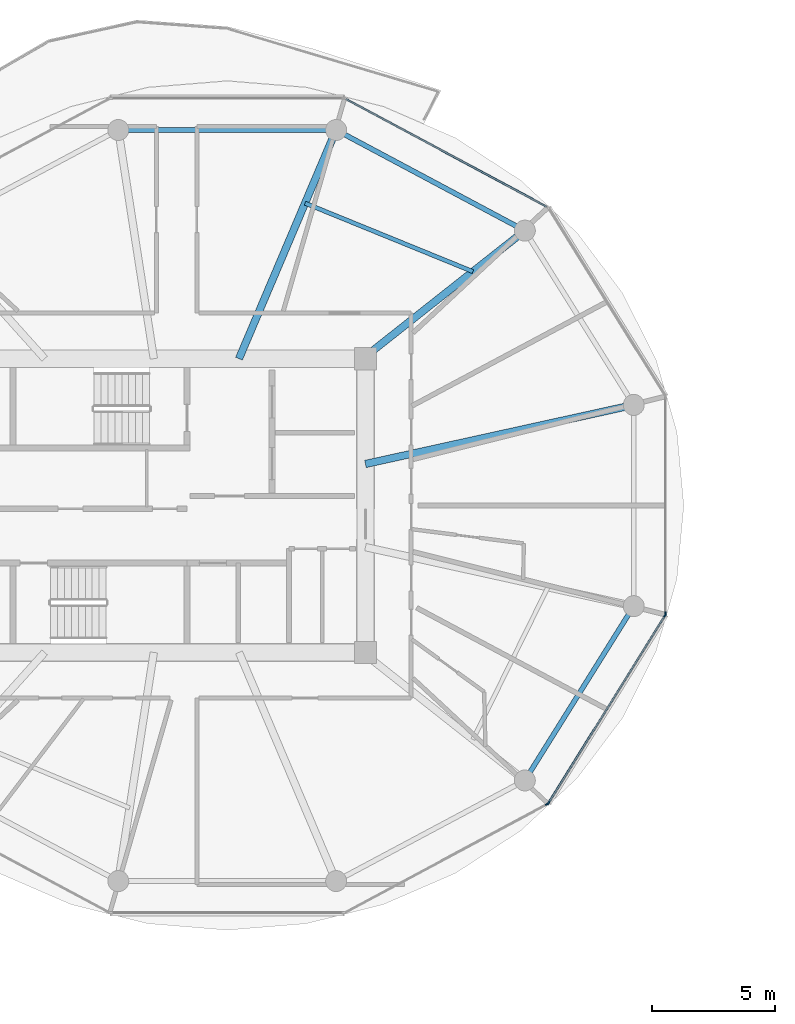
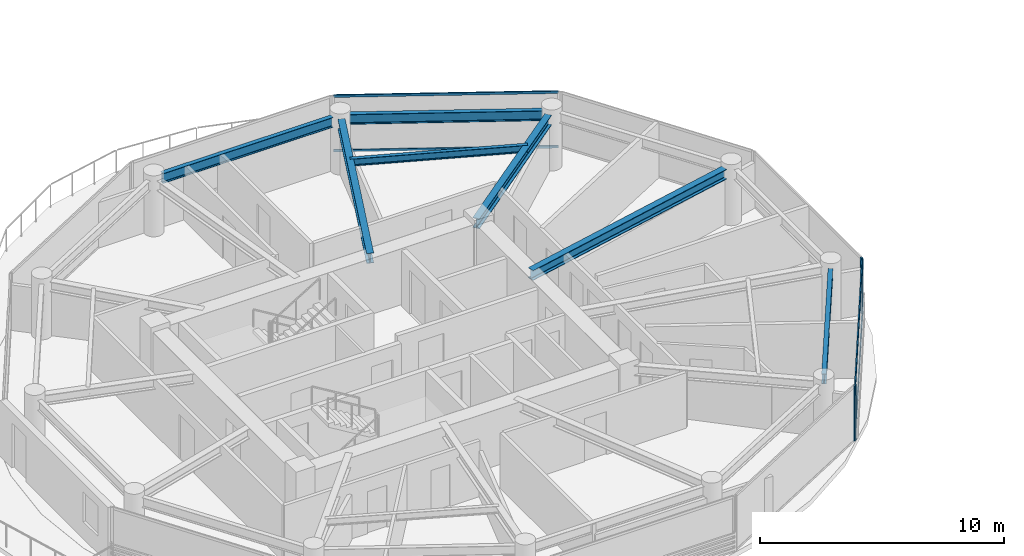
# One storey, part 5 of 22: 8 members, 7 beams, 4 elements without a shape of their own.
"""IFC4 building model written with IfcOpenShell, lengths in metres."""

from ifc_helpers import new_model, si_unit, direction, frame, origin, origin_2d, place, context, subcontext, project, spatial, rectangle, i_section, extrude, source, transform, mapped, material, layer, layer_set, material_profile, profile_set, type_object, type_shapes, element, aggregate, save


model = new_model("IFC4")

# Units and contexts
model_context = context("Model", 3, precision=1e-05, world=origin(), true_north=direction((0.0, 1.0)))
body_context = subcontext(model_context, "Body", "Model", "MODEL_VIEW")
ifc_project = project(units=[si_unit("LENGTHUNIT", "METRE"), si_unit("AREAUNIT", "SQUARE_METRE"), si_unit("VOLUMEUNIT", "CUBIC_METRE"), si_unit("PLANEANGLEUNIT", "RADIAN"), si_unit("MASSUNIT", "GRAM", prefix="KILO")], contexts=[model_context])

# Site, building, storey
site_placement = place(None, origin())
site = spatial("IfcSite", under=ifc_project, at=site_placement, CompositionType="ELEMENT")
building_placement = place(site_placement, origin())
building = spatial("IfcBuilding", under=site, at=building_placement, Name="Norrkilde Senior Care Towers", CompositionType="ELEMENT")
storey_placement = place(building_placement, frame((0.0, 0.0, 87.10009765625)))
storey = spatial("IfcBuildingStorey", under=building, at=storey_placement, Name="L26", CompositionType="ELEMENT", Elevation=87.10009765625)

# Beams
ifc_material_1 = material(Name="Steel S355", Category="steel")
ifc_material_profile_1 = material_profile(ifc_material_1, i_section(OverallWidth=0.199951171875, OverallDepth=0.5, WebThickness=0.01025390625, FlangeThickness=0.01611328125, FilletRadius=0.02099609375, at=origin_2d()), Name="IPE 500")
ifc_profile_set_1 = profile_set([ifc_material_profile_1], Name="Steel S355")
beam_type_1 = type_object("IfcBeamType", Name="Perimeter Ring Spandrel Z2 IPE500", PredefinedType="SPANDREL", material=ifc_profile_set_1)
shared_shape_1 = source(origin(), body_context, "Body", "SweptSolid", [
    extrude(i_section(OverallWidth=0.199951171875, OverallDepth=0.5, WebThickness=0.01025390625, FlangeThickness=0.01611328125, FilletRadius=0.02099609375, at=origin_2d()), origin(), (0.0, 0.0, 1.0), 7.55615234375),
])
beam_1_placement = place(storey_placement, frame((-13.689697265625, -10.810546875, 2.539794921875), z_axis=(0.529981514254, 0.848009194849, 0.0), x_axis=(-0.848009194849, 0.529981514254, 0.0)))
element("IfcBeam", 1, at=beam_1_placement, inside=storey, type_object=beam_type_1, Name="L26 Drum W Perimeter Spandrel 11", PredefinedType="SPANDREL", context=body_context, shape_type="MappedRepresentation", body=[
    mapped(shared_shape_1, transform((0.0, 0.0, 0.0), x_axis=(1.0, 0.0, 0.0), y_axis=(0.0, 1.0, 0.0), z_axis=(0.0, 0.0, 1.0), scale=1.0)),
])
ifc_material_profile_2 = material_profile(ifc_material_1, i_section(OverallWidth=0.300048828125, OverallDepth=0.5, WebThickness=0.014404296875, FlangeThickness=0.028076171875, FilletRadius=0.027099609375, at=origin_2d()), Name="HEB 500")
ifc_profile_set_2 = profile_set([ifc_material_profile_2], Name="Steel S355")
beam_type_2 = type_object("IfcBeamType", Name="Radial Floor Beam Z2 HEB500", PredefinedType="BEAM", material=ifc_profile_set_2)
shared_shape_2 = source(origin(), body_context, "Body", "SweptSolid", [
    extrude(i_section(OverallWidth=0.300048828125, OverallDepth=0.5, WebThickness=0.014404296875, FlangeThickness=0.028076171875, FilletRadius=0.027099609375, at=origin_2d()), origin(), (0.0, 0.0, 1.0), 10.744384765625),
])
beam_2_placement = place(storey_placement, frame((-20.35009765625, 1.683837890625, 2.539794921875), z_axis=(0.976618711422, 0.214978818724, 0.0), x_axis=(-0.214978818724, 0.976618711422, 0.0)))
element("IfcBeam", 2, at=beam_2_placement, inside=storey, type_object=beam_type_2, Name="L26 Drum W Radial Floor Beam 01", PredefinedType="BEAM", context=body_context, shape_type="MappedRepresentation", body=[
    mapped(shared_shape_2, transform((0.0, 0.0, 0.0), x_axis=(1.0, 0.0, 0.0), y_axis=(0.0, 1.0, 0.0), z_axis=(0.0, 0.0, 1.0), scale=1.0)),
])
shared_shape_3 = source(origin(), body_context, "Body", "SweptSolid", [
    extrude(i_section(OverallWidth=0.199951171875, OverallDepth=0.5, WebThickness=0.01025390625, FlangeThickness=0.01611328125, FilletRadius=0.02099609375, at=origin_2d()), origin(), (0.0, 0.0, 1.0), 7.892333984375),
])
beam_3_placement = place(storey_placement, frame((-14.233642578125, 11.318115234375, 2.539794921875), z_axis=(-0.882350372282, 0.47059305194, 0.0), x_axis=(-0.47059305194, -0.882350372282, 0.0)))
element("IfcBeam", 3, at=beam_3_placement, inside=storey, type_object=beam_type_1, Name="L26 Drum W Perimeter Spandrel 02", PredefinedType="SPANDREL", context=body_context, shape_type="MappedRepresentation", body=[
    mapped(shared_shape_3, transform((0.0, 0.0, 0.0), x_axis=(1.0, 0.0, 0.0), y_axis=(0.0, 1.0, 0.0), z_axis=(0.0, 0.0, 1.0), scale=1.0)),
])
shared_shape_4 = source(origin(), body_context, "Body", "SweptSolid", [
    extrude(i_section(OverallWidth=0.300048828125, OverallDepth=0.5, WebThickness=0.014404296875, FlangeThickness=0.028076171875, FilletRadius=0.027099609375, at=origin_2d()), origin(), (0.0, 0.0, 1.0), 7.985595703125),
])
beam_4_placement = place(storey_placement, frame((-20.463623046875, 5.949951171875, 2.539794921875), z_axis=(0.784858505144, 0.619675017169, 0.0), x_axis=(-0.619675017169, 0.784858505144, 0.0)))
element("IfcBeam", 4, at=beam_4_placement, inside=storey, type_object=beam_type_2, Name="L26 Drum W Radial Floor Beam 02", PredefinedType="BEAM", context=body_context, shape_type="MappedRepresentation", body=[
    mapped(shared_shape_4, transform((0.0, 0.0, 0.0), x_axis=(1.0, 0.0, 0.0), y_axis=(0.0, 1.0, 0.0), z_axis=(0.0, 0.0, 1.0), scale=1.0)),
])
shared_shape_5 = source(origin(), body_context, "Body", "SweptSolid", [
    extrude(i_section(OverallWidth=0.199951171875, OverallDepth=0.5, WebThickness=0.01025390625, FlangeThickness=0.01611328125, FilletRadius=0.02099609375, at=origin_2d()), origin(), (0.0, 0.0, 1.0), 8.0556640625),
])
type_shapes(beam_type_1, [shared_shape_1, shared_shape_3, shared_shape_5])
beam_5_placement = place(storey_placement, frame((-21.922119140625, 15.21337890625, 2.539794921875), z_axis=(-1.0, 0.0, 0.0), x_axis=(0.0, -1.0, 0.0)))
element("IfcBeam", 5, at=beam_5_placement, inside=storey, type_object=beam_type_1, Name="L26 Drum W Perimeter Spandrel 03", PredefinedType="SPANDREL", context=body_context, shape_type="MappedRepresentation", body=[
    mapped(shared_shape_5, transform((0.0, 0.0, 0.0), x_axis=(1.0, 0.0, 0.0), y_axis=(0.0, 1.0, 0.0), z_axis=(0.0, 0.0, 1.0), scale=1.0)),
])
shared_shape_6 = source(origin(), body_context, "Body", "SweptSolid", [
    extrude(i_section(OverallWidth=0.300048828125, OverallDepth=0.5, WebThickness=0.014404296875, FlangeThickness=0.028076171875, FilletRadius=0.027099609375, at=origin_2d()), origin(), (0.0, 0.0, 1.0), 9.679443359375),
])
type_shapes(beam_type_2, [shared_shape_2, shared_shape_4, shared_shape_6])
beam_6_placement = place(storey_placement, frame((-25.472412109375, 5.949951171875, 2.539794921875), z_axis=(0.390998033479, 0.920391513333, 0.0), x_axis=(-0.920391513333, 0.390998033479, 0.0)))
element("IfcBeam", 6, at=beam_6_placement, inside=storey, type_object=beam_type_2, Name="L26 Drum W Radial Floor Beam 03", PredefinedType="BEAM", context=body_context, shape_type="MappedRepresentation", body=[
    mapped(shared_shape_6, transform((0.0, 0.0, 0.0), x_axis=(1.0, 0.0, 0.0), y_axis=(0.0, 1.0, 0.0), z_axis=(0.0, 0.0, 1.0), scale=1.0)),
])
ifc_material_profile_3 = material_profile(ifc_material_1, i_section(OverallWidth=0.169921875, OverallDepth=0.360107421875, WebThickness=0.008056640625, FlangeThickness=0.0126953125, FilletRadius=0.01806640625, at=origin_2d()), Name="IPE 360")
ifc_profile_set_3 = profile_set([ifc_material_profile_3], Name="Steel S355")
beam_type_3 = type_object("IfcBeamType", Name="Secondary Floor Joist IPE360", PredefinedType="JOIST", material=ifc_profile_set_3)
shared_shape_7 = source(origin(), body_context, "Body", "SweptSolid", [
    extrude(i_section(OverallWidth=0.169921875, OverallDepth=0.360107421875, WebThickness=0.008056640625, FlangeThickness=0.0126953125, FilletRadius=0.01806640625, at=origin_2d()), origin(), (0.0, 0.0, 1.0), 7.343505859375),
])
type_shapes(beam_type_3, [shared_shape_7])
beam_7_placement = place(storey_placement, frame((-15.99609375, 9.47705078125, 2.60986328125), z_axis=(-0.926021784767, 0.377470070519, 0.0), x_axis=(-0.377470070519, -0.926021784767, 0.0)))
element("IfcBeam", 7, at=beam_7_placement, inside=storey, type_object=beam_type_3, Name="L26 Drum W Secondary Floor Joist 1", PredefinedType="JOIST", context=body_context, shape_type="MappedRepresentation", body=[
    mapped(shared_shape_7, transform((0.0, 0.0, 0.0), x_axis=(1.0, 0.0, 0.0), y_axis=(0.0, 1.0, 0.0), z_axis=(0.0, 0.0, 1.0), scale=1.0)),
])

# Curtain wall, member
ifc_material_2 = material(Name="Triple Low-E Insulated Glazing", Category="glass")
ifc_layer = layer(ifc_material_2, 0.195068359375)
ifc_layer_set = layer_set([ifc_layer], Name="Triple Low-E Insulated Glazing")
curtain_wall_type = type_object("IfcCurtainWallType", Name="CW3 Zone 2 Assisted Living Curtain Wall", PredefinedType="NOTDEFINED", material=ifc_layer_set)
curtain_wall_1_placement = place(storey_placement, origin())
curtain_wall_1 = element("IfcCurtainWall", 8, at=curtain_wall_1_placement, inside=storey, type_object=curtain_wall_type, Name="L26 Drum W Curtain Wall 09", PredefinedType="NOTDEFINED")
ifc_material_3 = material(Name="Anodised Aluminium", Category="aluminium")
ifc_material_profile_4 = material_profile(ifc_material_3, rectangle(XDim=0.06494140625, YDim=0.159912109375, at=origin_2d()), Name="ALU MULL 65x160")
ifc_profile_set_4 = profile_set([ifc_material_profile_4], Name="Anodised Aluminium")
member_type_1 = type_object("IfcMemberType", Name="Curtain Wall Mullion Z1-Z2 65x160", PredefinedType="MULLION", material=ifc_profile_set_4)
shared_shape_8 = source(origin(), body_context, "Body", "SweptSolid", [
    extrude(rectangle(XDim=0.06494140625, YDim=0.159912109375, at=origin_2d()), origin(), (0.0, 0.0, 1.0), 2.789794921875),
])
type_shapes(member_type_1, [shared_shape_8])
member_1_placement = place(storey_placement, frame((-12.98193359375, -12.0927734375, 0.0), z_axis=(0.0, 0.0, 1.0), x_axis=(0.472769402511, -0.881186184668, 0.0)))
member_1 = element("IfcMember", 9, at=member_1_placement, type_object=member_type_1, Name="CW-3 mullion 1", PredefinedType="MULLION", context=body_context, shape_type="MappedRepresentation", body=[
    mapped(shared_shape_8, transform((0.0, 0.0, 0.0), x_axis=(1.0, 0.0, 0.0), y_axis=(0.0, 1.0, 0.0), z_axis=(0.0, 0.0, 1.0), scale=1.0)),
])
aggregate(curtain_wall_1, [member_1])

# Curtain wall, members
curtain_wall_2_placement = place(storey_placement, origin())
curtain_wall_2 = element("IfcCurtainWall", 10, at=curtain_wall_2_placement, inside=storey, type_object=curtain_wall_type, Name="L26 Drum W Curtain Wall 10", PredefinedType="NOTDEFINED")
member_2_placement = place(storey_placement, frame((-8.21337890625, -4.4482421875, 0.0), z_axis=(0.0, 0.0, 1.0), x_axis=(0.849410171862, -0.527733228002, 0.0)))
member_2 = element("IfcMember", 11, at=member_2_placement, type_object=member_type_1, Name="CW-3 mullion 1", PredefinedType="MULLION", context=body_context, shape_type="MappedRepresentation", body=[
    mapped(shared_shape_8, transform((0.0, 0.0, 0.0), x_axis=(1.0, 0.0, 0.0), y_axis=(0.0, 1.0, 0.0), z_axis=(0.0, 0.0, 1.0), scale=1.0)),
])
member_3_placement = place(storey_placement, frame((-12.936279296875, -12.0498046875, 0.0), z_axis=(0.0, 0.0, 1.0), x_axis=(0.849410171862, -0.527733228002, 0.0)))
member_3 = element("IfcMember", 12, at=member_3_placement, type_object=member_type_1, Name="CW-3 mullion 2", PredefinedType="MULLION", context=body_context, shape_type="MappedRepresentation", body=[
    mapped(shared_shape_8, transform((0.0, 0.0, 0.0), x_axis=(1.0, 0.0, 0.0), y_axis=(0.0, 1.0, 0.0), z_axis=(0.0, 0.0, 1.0), scale=1.0)),
])

# Curtain wall, member
curtain_wall_3_placement = place(storey_placement, origin())
curtain_wall_3 = element("IfcCurtainWall", 13, at=curtain_wall_3_placement, inside=storey, type_object=curtain_wall_type, Name="L26 Drum W Curtain Wall 11", PredefinedType="NOTDEFINED")
member_4_placement = place(storey_placement, frame((-8.1962890625, -4.38818359375, 0.0), z_axis=(0.0, 0.0, 1.0), x_axis=(1.0, 0.0, 0.0)))
member_4 = element("IfcMember", 14, at=member_4_placement, type_object=member_type_1, Name="CW-3 mullion 2", PredefinedType="MULLION", context=body_context, shape_type="MappedRepresentation", body=[
    mapped(shared_shape_8, transform((0.0, 0.0, 0.0), x_axis=(1.0, 0.0, 0.0), y_axis=(0.0, 1.0, 0.0), z_axis=(0.0, 0.0, 1.0), scale=1.0)),
])
aggregate(curtain_wall_3, [member_4])

# Member
ifc_material_profile_5 = material_profile(ifc_material_3, rectangle(XDim=0.06005859375, YDim=0.1201171875, at=origin_2d()), Name="ALU TRAN 60x120")
ifc_profile_set_5 = profile_set([ifc_material_profile_5], Name="Anodised Aluminium")
member_type_2 = type_object("IfcMemberType", Name="Curtain Wall Transom Typical 60x120", PredefinedType="USERDEFINED", material=ifc_profile_set_5)
shared_shape_9 = source(origin(), body_context, "Body", "SweptSolid", [
    extrude(rectangle(XDim=0.06005859375, YDim=0.1201171875, at=origin_2d()), origin(), (0.0, 0.0, 1.0), 8.88427734375),
])
member_5_placement = place(storey_placement, frame((-8.23046875, -4.475830078125, 0.02978515625), z_axis=(-0.527749293309, -0.849400190377, 0.0), x_axis=(0.849400190377, -0.527749293309, 0.0)))
member_5 = element("IfcMember", 15, at=member_5_placement, type_object=member_type_2, Name="CW-3 transom 1.1", ObjectType="TRANSOM", PredefinedType="USERDEFINED", context=body_context, shape_type="MappedRepresentation", body=[
    mapped(shared_shape_9, transform((0.0, 0.0, 0.0), x_axis=(1.0, 0.0, 0.0), y_axis=(0.0, 1.0, 0.0), z_axis=(0.0, 0.0, 1.0), scale=1.0)),
])

member_6_placement = place(storey_placement, frame((-8.23046875, -4.475830078125, 2.760009765625), z_axis=(-0.527749293309, -0.849400190377, 0.0), x_axis=(0.849400190377, -0.527749293309, 0.0)))
member_6 = element("IfcMember", 16, at=member_6_placement, type_object=member_type_2, Name="CW-3 transom 1.2", ObjectType="TRANSOM", PredefinedType="USERDEFINED", context=body_context, shape_type="MappedRepresentation", body=[
    mapped(shared_shape_9, transform((0.0, 0.0, 0.0), x_axis=(1.0, 0.0, 0.0), y_axis=(0.0, 1.0, 0.0), z_axis=(0.0, 0.0, 1.0), scale=1.0)),
])

aggregate(curtain_wall_2, [member_2, member_3, member_5, member_6])

# Curtain wall, members
curtain_wall_4_placement = place(storey_placement, origin())
curtain_wall_4 = element("IfcCurtainWall", 17, at=curtain_wall_4_placement, inside=storey, type_object=curtain_wall_type, Name="L26 Drum W Curtain Wall 01", PredefinedType="NOTDEFINED")
shared_shape_10 = source(origin(), body_context, "Body", "SweptSolid", [
    extrude(rectangle(XDim=0.06005859375, YDim=0.1201171875, at=origin_2d()), origin(), (0.0, 0.0, 1.0), 9.220458984375),
])
type_shapes(member_type_2, [shared_shape_9, shared_shape_10])
member_7_placement = place(storey_placement, frame((-21.1357421875, 16.46728515625, 0.02978515625), z_axis=(0.881188517866, -0.472765053681, 0.0), x_axis=(0.472765053681, 0.881188517866, 0.0)))
member_7 = element("IfcMember", 18, at=member_7_placement, type_object=member_type_2, Name="CW-3 transom 1.1", ObjectType="TRANSOM", PredefinedType="USERDEFINED", context=body_context, shape_type="MappedRepresentation", body=[
    mapped(shared_shape_10, transform((0.0, 0.0, 0.0), x_axis=(1.0, 0.0, 0.0), y_axis=(0.0, 1.0, 0.0), z_axis=(0.0, 0.0, 1.0), scale=1.0)),
])
member_8_placement = place(storey_placement, frame((-21.1357421875, 16.46728515625, 2.760009765625), z_axis=(0.881188517866, -0.472765053681, 0.0), x_axis=(0.472765053681, 0.881188517866, 0.0)))
member_8 = element("IfcMember", 19, at=member_8_placement, type_object=member_type_2, Name="CW-3 transom 1.2", ObjectType="TRANSOM", PredefinedType="USERDEFINED", context=body_context, shape_type="MappedRepresentation", body=[
    mapped(shared_shape_10, transform((0.0, 0.0, 0.0), x_axis=(1.0, 0.0, 0.0), y_axis=(0.0, 1.0, 0.0), z_axis=(0.0, 0.0, 1.0), scale=1.0)),
])
aggregate(curtain_wall_4, [member_7, member_8])

save(model, "model.ifc")
